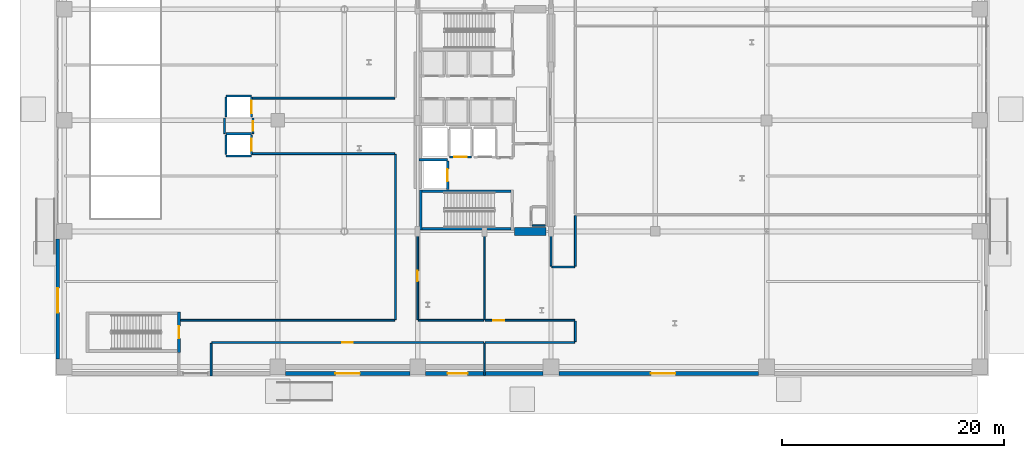
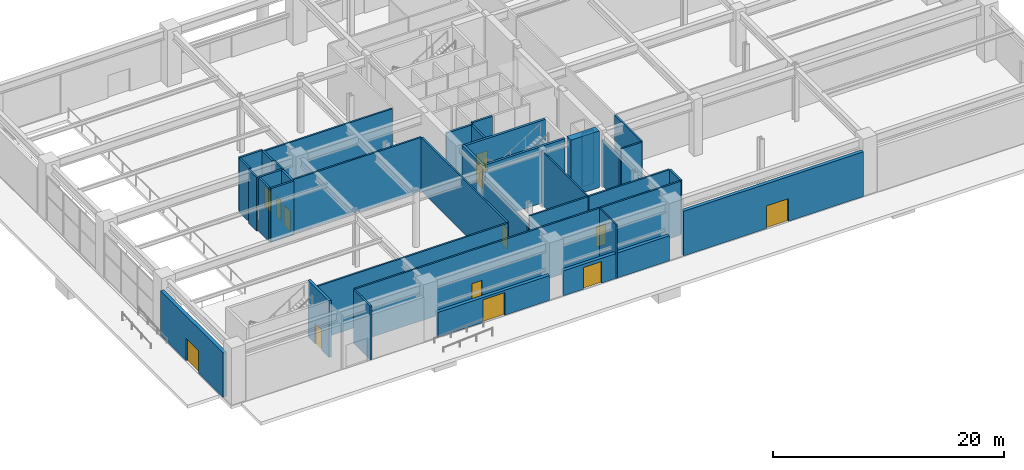
# One storey, part 20 of 31: 38 walls, 13 doors, 13 openings.
"""IFC4 building model written with IfcOpenShell, lengths in metres."""

from ifc_helpers import new_model, si_unit, direction, frame, frame_2d, origin, place, context, subcontext, project, spatial, rectangle, extrude, material, layer, layer_set, type_object, element, fill, save


model = new_model("IFC4")

# Units and contexts
model_context = context("Model", 3, precision=1e-05, world=origin(), true_north=direction((0.0, 1.0)))
body_context = subcontext(model_context, "Body", "Model", "MODEL_VIEW")
ifc_project = project(units=[si_unit("LENGTHUNIT", "METRE"), si_unit("AREAUNIT", "SQUARE_METRE"), si_unit("VOLUMEUNIT", "CUBIC_METRE"), si_unit("PLANEANGLEUNIT", "RADIAN"), si_unit("MASSUNIT", "GRAM", prefix="KILO")], contexts=[model_context])

# Site, building, storey
site_placement = place(None, origin())
site = spatial("IfcSite", under=ifc_project, at=site_placement, CompositionType="ELEMENT")
building_placement = place(site_placement, origin())
building = spatial("IfcBuilding", under=site, at=building_placement, Name="Soratama Intermodal Tower", CompositionType="ELEMENT")
storey_placement = place(building_placement, origin())
storey = spatial("IfcBuildingStorey", under=building, at=storey_placement, Name="L00", CompositionType="ELEMENT", Elevation=0.0)

# Wall, opening, door
ifc_material_1 = material(Name="Concrete f'c 42 MPa", Category="concrete")
ifc_layer_1 = layer(ifc_material_1, 0.340087890625)
ifc_layer_set_1 = layer_set([ifc_layer_1], Name="Concrete f'c 42 MPa")
wall_type_1 = type_object("IfcWallType", Name="EW-STONE-340", PredefinedType="SOLIDWALL", material=ifc_layer_set_1)
wall_1_placement = place(storey_placement, frame((31.89990234375, 2.199951171875, 0.0), z_axis=(0.0, 0.0, 1.0), x_axis=(-1.0, 0.0, 0.0)))
wall_1 = element("IfcWall", 1, at=wall_1_placement, inside=storey, type_object=wall_type_1, Name="L00 South Concourse Wall", PredefinedType="SOLIDWALL", context=body_context, shape_type="SweptSolid", body=[
    extrude(rectangle(XDim=11.199951171875, YDim=0.340087890625, at=frame_2d((5.60009765625, 0.0))), origin(), (0.0, 0.0, 1.0), 2.639892578125),
])
opening_1_placement = place(wall_1_placement, frame((4.5, 0.0, 0.0)))
opening_1 = element("IfcOpeningElement", 2, at=opening_1_placement, cuts=wall_1, Name="Opening ED-1", PredefinedType="OPENING", context=body_context, shape_type="SweptSolid", body=[
    extrude(rectangle(XDim=2.199951171875, YDim=2.39990234375, at=frame_2d((1.10009765625, 1.199951171875))), frame((0.0, 0.179931640625, 0.0), z_axis=(0.0, -1.0, 0.0), x_axis=(1.0, 0.0, 0.0)), (0.0, 0.0, 1.0), 0.360107421875),
])
ifc_material_2 = material(Name="Double-glazed aluminium door", Category="aluminium")
door_type_1 = type_object("IfcDoorType", Name="DR-EXIT-2200", OperationType="NOTDEFINED", PredefinedType="DOOR", material=ifc_material_2)
door_1_placement = place(opening_1_placement, origin())
door_1 = element("IfcDoor", 3, at=door_1_placement, inside=storey, type_object=door_type_1, Name="L00 South Concourse Exit Door", OperationType="SINGLE_SWING_LEFT", OverallHeight=2.39990234375, OverallWidth=2.199951171875, PredefinedType="DOOR", context=body_context, shape_type="SweptSolid", body=[
    extrude(rectangle(XDim=2.199951171875, YDim=2.39990234375, at=frame_2d((1.10009765625, 1.199951171875))), frame((0.0, 0.02490234375, 0.0), z_axis=(0.0, -1.0, 0.0), x_axis=(1.0, 0.0, 0.0)), (0.0, 0.0, 1.0), 0.050048828125),
])
fill(opening_1, door_1)

wall_2_placement = place(storey_placement, frame((43.89990234375, 2.199951171875, 0.0), z_axis=(0.0, 0.0, 1.0), x_axis=(-1.0, 0.0, 0.0)))
wall_2 = element("IfcWall", 4, at=wall_2_placement, inside=storey, type_object=wall_type_1, Name="L00 South Fire Command Wall", PredefinedType="SOLIDWALL", context=body_context, shape_type="SweptSolid", body=[
    extrude(rectangle(XDim=10.599853515625, YDim=0.340087890625, at=frame_2d((5.2998046875, 0.0))), origin(), (0.0, 0.0, 1.0), 2.639892578125),
])
opening_2_placement = place(wall_2_placement, frame((6.800048828125, 0.0, 0.0)))
opening_2 = element("IfcOpeningElement", 5, at=opening_2_placement, cuts=wall_2, Name="Opening ED-4", PredefinedType="OPENING", context=body_context, shape_type="SweptSolid", body=[
    extrude(rectangle(XDim=1.800048828125, YDim=2.300048828125, at=frame_2d((0.89990234375, 1.14990234375))), frame((0.0, 0.179931640625, 0.0), z_axis=(0.0, -1.0, 0.0), x_axis=(1.0, 0.0, 0.0)), (0.0, 0.0, 1.0), 0.360107421875),
])
ifc_material_3 = material(Name="Double-glazed aluminium door", Category="aluminium")
door_type_2 = type_object("IfcDoorType", Name="DR-EXIT-1800", OperationType="NOTDEFINED", PredefinedType="DOOR", material=ifc_material_3)
door_2_placement = place(opening_2_placement, origin())
door_2 = element("IfcDoor", 6, at=door_2_placement, inside=storey, type_object=door_type_2, Name="L00 Fire Command Exterior Access Door", OperationType="SINGLE_SWING_LEFT", OverallHeight=2.300048828125, OverallWidth=1.800048828125, PredefinedType="DOOR", context=body_context, shape_type="SweptSolid", body=[
    extrude(rectangle(XDim=1.800048828125, YDim=2.300048828125, at=frame_2d((0.89990234375, 1.14990234375))), frame((0.0, 0.02490234375, 0.0), z_axis=(0.0, -1.0, 0.0), x_axis=(1.0, 0.0, 0.0)), (0.0, 0.0, 1.0), 0.050048828125),
])
fill(opening_2, door_2)

wall_3_placement = place(storey_placement, frame((63.300048828125, 2.199951171875, 0.0), z_axis=(0.0, 0.0, 1.0), x_axis=(-1.0, 0.0, 0.0)))
wall_3 = element("IfcWall", 7, at=wall_3_placement, inside=storey, type_object=wall_type_1, Name="L00 South Market Wall", PredefinedType="SOLIDWALL", context=body_context, shape_type="SweptSolid", body=[
    extrude(rectangle(XDim=18.0, YDim=0.340087890625, at=frame_2d((9.0, 0.0))), origin(), (0.0, 0.0, 1.0), 4.736083984375),
])
opening_3_placement = place(wall_3_placement, frame((7.5, 0.0, 0.0)))
opening_3 = element("IfcOpeningElement", 8, at=opening_3_placement, cuts=wall_3, Name="Opening ED-1", PredefinedType="OPENING", context=body_context, shape_type="SweptSolid", body=[
    extrude(rectangle(XDim=2.199951171875, YDim=2.39990234375, at=frame_2d((1.10009765625, 1.199951171875))), frame((0.0, 0.179931640625, 0.0), z_axis=(0.0, -1.0, 0.0), x_axis=(1.0, 0.0, 0.0)), (0.0, 0.0, 1.0), 0.360107421875),
])
door_3_placement = place(opening_3_placement, origin())
door_3 = element("IfcDoor", 9, at=door_3_placement, inside=storey, type_object=door_type_1, Name="L00 South Market Entrance Door", OperationType="SINGLE_SWING_LEFT", OverallHeight=2.39990234375, OverallWidth=2.199951171875, PredefinedType="DOOR", context=body_context, shape_type="SweptSolid", body=[
    extrude(rectangle(XDim=2.199951171875, YDim=2.39990234375, at=frame_2d((1.10009765625, 1.199951171875))), frame((0.0, 0.02490234375, 0.0), z_axis=(0.0, -1.0, 0.0), x_axis=(1.0, 0.0, 0.0)), (0.0, 0.0, 1.0), 0.050048828125),
])
fill(opening_3, door_3)

wall_4_placement = place(storey_placement, frame((0.199951171875, 3.5, 0.0), z_axis=(0.0, 0.0, 1.0), x_axis=(0.0, 1.0, 0.0)))
wall_4 = element("IfcWall", 10, at=wall_4_placement, inside=storey, type_object=wall_type_1, Name="L00 West South Wall", PredefinedType="SOLIDWALL", context=body_context, shape_type="SweptSolid", body=[
    extrude(rectangle(XDim=10.800048828125, YDim=0.340087890625, at=frame_2d((5.39990234375, 0.0))), origin(), (0.0, 0.0, 1.0), 4.736083984375),
])
opening_4_placement = place(wall_4_placement, frame((4.199951171875, 0.0, 0.0)))
opening_4 = element("IfcOpeningElement", 11, at=opening_4_placement, cuts=wall_4, Name="Opening ED-1", PredefinedType="OPENING", context=body_context, shape_type="SweptSolid", body=[
    extrude(rectangle(XDim=2.199951171875, YDim=2.39990234375, at=frame_2d((1.10009765625, 1.199951171875))), frame((0.0, 0.179931640625, 0.0), z_axis=(0.0, -1.0, 0.0), x_axis=(1.0, 0.0, 0.0)), (0.0, 0.0, 1.0), 0.360107421875),
])
door_4_placement = place(opening_4_placement, origin())
door_4 = element("IfcDoor", 12, at=door_4_placement, inside=storey, type_object=door_type_1, Name="L00 West Loading Entrance Door", OperationType="SINGLE_SWING_LEFT", OverallHeight=2.39990234375, OverallWidth=2.199951171875, PredefinedType="DOOR", context=body_context, shape_type="SweptSolid", body=[
    extrude(rectangle(XDim=2.199951171875, YDim=2.39990234375, at=frame_2d((1.10009765625, 1.199951171875))), frame((0.0, 0.02490234375, 0.0), z_axis=(0.0, -1.0, 0.0), x_axis=(1.0, 0.0, 0.0)), (0.0, 0.0, 1.0), 0.050048828125),
])
fill(opening_4, door_4)

# Wall
ifc_material_4 = material(Name="Fire-rated gypsum stud partition", Category="concrete")
ifc_layer_2 = layer(ifc_material_4, 0.14990234375)
ifc_layer_set_2 = layer_set([ifc_layer_2], Name="Fire-rated gypsum stud partition")
wall_type_2 = type_object("IfcWallType", Name="IW-PART-R150", PredefinedType="PARTITIONING", material=ifc_layer_set_2)
wall_5_placement = place(storey_placement, frame((42.89990234375, 15.52001953125, 0.0), z_axis=(0.0, 0.0, 1.0), x_axis=(1.0, 0.0, 0.0)))
element("IfcWall", 13, at=wall_5_placement, inside=storey, type_object=wall_type_2, Name="L00 Riser Wall S", PredefinedType="PARTITIONING", context=body_context, shape_type="SweptSolid", body=[
    extrude(rectangle(XDim=1.2001953125, YDim=0.14990234375, at=frame_2d((0.60009765625, 0.0))), origin(), (0.0, 0.0, 1.0), 5.679931640625),
])

# Wall, opening, door
ifc_material_5 = material(Name="Fire-rated gypsum stud partition", Category="concrete")
ifc_layer_3 = layer(ifc_material_5, 0.169921875)
ifc_layer_set_3 = layer_set([ifc_layer_3], Name="Fire-rated gypsum stud partition")
wall_type_3 = type_object("IfcWallType", Name="IW-PART-R170", PredefinedType="PARTITIONING", material=ifc_layer_set_3)
wall_6_placement = place(storey_placement, frame((38.530029296875, 5.0, 0.0), z_axis=(0.0, 0.0, 1.0), x_axis=(-1.0, 0.0, 0.0)))
wall_6 = element("IfcWall", 14, at=wall_6_placement, inside=storey, type_object=wall_type_3, Name="L00 Partition W-L00-TP005", PredefinedType="PARTITIONING", context=body_context, shape_type="SweptSolid", body=[
    extrude(rectangle(XDim=24.4599609375, YDim=0.169921875, at=frame_2d((12.22998046875, 0.0))), origin(), (0.0, 0.0, 1.0), 5.679931640625),
])
opening_5_placement = place(wall_6_placement, frame((11.7548828125, 0.0, 0.0)))
opening_5 = element("IfcOpeningElement", 15, at=opening_5_placement, cuts=wall_6, Name="Opening ID-5", PredefinedType="OPENING", context=body_context, shape_type="SweptSolid", body=[
    extrude(rectangle(XDim=0.97998046875, YDim=2.14990234375, at=frame_2d((0.489990234375, 1.074951171875))), frame((0.0, 0.094970703125, 0.0), z_axis=(0.0, -1.0, 0.0), x_axis=(1.0, 0.0, 0.0)), (0.0, 0.0, 1.0), 0.18994140625),
])
ifc_material_6 = material(Name="Solid hardwood acoustic door", Category="wood")
door_type_3 = type_object("IfcDoorType", Name="DR-OFF-980", OperationType="NOTDEFINED", PredefinedType="DOOR", material=ifc_material_6)
door_5_placement = place(opening_5_placement, origin())
door_5 = element("IfcDoor", 16, at=door_5_placement, inside=storey, type_object=door_type_3, Name="L00 Door D-L00-TP003", OperationType="SINGLE_SWING_RIGHT", OverallHeight=2.14990234375, OverallWidth=0.97998046875, PredefinedType="DOOR", context=body_context, shape_type="SweptSolid", body=[
    extrude(rectangle(XDim=0.97998046875, YDim=2.14990234375, at=frame_2d((0.489990234375, 1.074951171875))), frame((0.0, 0.02490234375, 0.0), z_axis=(0.0, -1.0, 0.0), x_axis=(1.0, 0.0, 0.0)), (0.0, 0.0, 1.0), 0.050048828125),
])
fill(opening_5, door_5)

# Walls
wall_7_placement = place(storey_placement, frame((11.1201171875, 7.0, 0.0), z_axis=(0.0, 0.0, 1.0), x_axis=(1.0, 0.0, 0.0)))
element("IfcWall", 17, at=wall_7_placement, inside=storey, type_object=wall_type_3, Name="L00 Partition W-L00-TP006", PredefinedType="PARTITIONING", context=body_context, shape_type="SweptSolid", body=[
    extrude(rectangle(XDim=19.409912109375, YDim=0.169921875, at=frame_2d((9.705078125, 0.0))), origin(), (0.0, 0.0, 1.0), 5.679931640625),
])
wall_8_placement = place(storey_placement, frame((30.60009765625, 7.070068359375, 0.0), z_axis=(0.0, 0.0, 1.0), x_axis=(0.0, 1.0, 0.0)))
element("IfcWall", 18, at=wall_8_placement, inside=storey, type_object=wall_type_3, Name="L00 Partition W-L00-TP008", PredefinedType="PARTITIONING", context=body_context, shape_type="SweptSolid", body=[
    extrude(rectangle(XDim=14.85986328125, YDim=0.169921875, at=frame_2d((7.429931640625, 0.0))), origin(), (0.0, 0.0, 1.0), 5.679931640625),
])
for number, where, z_axis, x_axis, name in (
    (19, (30.530029296875, 22.0, 0.0), (0.0, 0.0, 1.0), (-1.0, 0.0, 0.0), "L00 Partition W-L00-TP009"),
    (20, (17.64990234375, 27.0, 0.0), (0.0, 0.0, 1.0), (1.0, 0.0, 0.0), "L00 Partition W-L00-TP010"),
):
    element("IfcWall", number, at=place(storey_placement, frame(where, z_axis=z_axis, x_axis=x_axis)), inside=storey, type_object=wall_type_3, Name=name, PredefinedType="PARTITIONING", context=body_context, shape_type="SweptSolid", body=[
        extrude(rectangle(XDim=12.880126953125, YDim=0.169921875, at=frame_2d((6.43994140625, 0.0))), origin(), (0.0, 0.0, 1.0), 5.679931640625),
    ])

# Wall, opening, door
wall_9_placement = place(storey_placement, frame((38.669921875, 7.0, 0.0), z_axis=(0.0, 0.0, 1.0), x_axis=(1.0, 0.0, 0.0)))
wall_9 = element("IfcWall", 21, at=wall_9_placement, inside=storey, type_object=wall_type_3, Name="L00 Partition W-L00-TP013", PredefinedType="PARTITIONING", context=body_context, shape_type="SweptSolid", body=[
    extrude(rectangle(XDim=8.06005859375, YDim=0.169921875, at=frame_2d((4.030029296875, 0.0))), origin(), (0.0, 0.0, 1.0), 5.679931640625),
])
opening_6_placement = place(wall_9_placement, frame((0.73388671875, 0.0, 0.0)))
opening_6 = element("IfcOpeningElement", 22, at=opening_6_placement, cuts=wall_9, Name="Opening ID-5", PredefinedType="OPENING", context=body_context, shape_type="SweptSolid", body=[
    extrude(rectangle(XDim=0.97998046875, YDim=2.14990234375, at=frame_2d((0.489990234375, 1.074951171875))), frame((0.0, 0.094970703125, 0.0), z_axis=(0.0, -1.0, 0.0), x_axis=(1.0, 0.0, 0.0)), (0.0, 0.0, 1.0), 0.18994140625),
])
door_6_placement = place(opening_6_placement, origin())
door_6 = element("IfcDoor", 23, at=door_6_placement, inside=storey, type_object=door_type_3, Name="L00 Door D-L00-TP005", OperationType="SINGLE_SWING_RIGHT", OverallHeight=2.14990234375, OverallWidth=0.97998046875, PredefinedType="DOOR", context=body_context, shape_type="SweptSolid", body=[
    extrude(rectangle(XDim=0.97998046875, YDim=2.14990234375, at=frame_2d((0.489990234375, 1.074951171875))), frame((0.0, 0.02490234375, 0.0), z_axis=(0.0, -1.0, 0.0), x_axis=(1.0, 0.0, 0.0)), (0.0, 0.0, 1.0), 0.050048828125),
])
fill(opening_6, door_6)

# Wall
wall_10_placement = place(storey_placement, frame((46.72998046875, 5.0, 0.0), z_axis=(0.0, 0.0, 1.0), x_axis=(-1.0, 0.0, 0.0)))
element("IfcWall", 24, at=wall_10_placement, inside=storey, type_object=wall_type_3, Name="L00 Partition W-L00-TP014", PredefinedType="PARTITIONING", context=body_context, shape_type="SweptSolid", body=[
    extrude(rectangle(XDim=8.06005859375, YDim=0.169921875, at=frame_2d((4.030029296875, 0.0))), origin(), (0.0, 0.0, 1.0), 5.679931640625),
])

# Wall, opening, door
wall_11_placement = place(storey_placement, frame((32.60009765625, 14.929931640625, 0.0), z_axis=(0.0, 0.0, 1.0), x_axis=(0.0, -1.0, 0.0)))
wall_11 = element("IfcWall", 25, at=wall_11_placement, inside=storey, type_object=wall_type_3, Name="L00 Partition W-L00-TP015", PredefinedType="PARTITIONING", context=body_context, shape_type="SweptSolid", body=[
    extrude(rectangle(XDim=7.85986328125, YDim=0.169921875, at=frame_2d((3.929931640625, 0.0))), origin(), (0.0, 0.0, 1.0), 4.802001953125),
])
opening_7_placement = place(wall_11_placement, frame((3.455078125, 0.0, 0.0)))
opening_7 = element("IfcOpeningElement", 26, at=opening_7_placement, cuts=wall_11, Name="Opening ID-5", PredefinedType="OPENING", context=body_context, shape_type="SweptSolid", body=[
    extrude(rectangle(XDim=0.97998046875, YDim=2.14990234375, at=frame_2d((0.489990234375, 1.074951171875))), frame((0.0, 0.094970703125, 0.0), z_axis=(0.0, -1.0, 0.0), x_axis=(1.0, 0.0, 0.0)), (0.0, 0.0, 1.0), 0.18994140625),
])
door_7_placement = place(opening_7_placement, origin())
door_7 = element("IfcDoor", 27, at=door_7_placement, inside=storey, type_object=door_type_3, Name="L00 Door D-L00-TP006", OperationType="SINGLE_SWING_LEFT", OverallHeight=2.14990234375, OverallWidth=0.97998046875, PredefinedType="DOOR", context=body_context, shape_type="SweptSolid", body=[
    extrude(rectangle(XDim=0.97998046875, YDim=2.14990234375, at=frame_2d((0.489990234375, 1.074951171875))), frame((0.0, 0.02490234375, 0.0), z_axis=(0.0, -1.0, 0.0), x_axis=(1.0, 0.0, 0.0)), (0.0, 0.0, 1.0), 0.050048828125),
])
fill(opening_7, door_7)

# Walls
wall_12_placement = place(storey_placement, frame((32.669921875, 7.0, 0.0), z_axis=(0.0, 0.0, 1.0), x_axis=(1.0, 0.0, 0.0)))
element("IfcWall", 28, at=wall_12_placement, inside=storey, type_object=wall_type_3, Name="L00 Partition W-L00-TP021", PredefinedType="PARTITIONING", context=body_context, shape_type="SweptSolid", body=[
    extrude(rectangle(XDim=5.860107421875, YDim=0.169921875, at=frame_2d((2.93017578125, 0.0))), origin(), (0.0, 0.0, 1.0), 5.679931640625),
])
wall_13_placement = place(storey_placement, frame((46.800048828125, 16.429931640625, 0.0), z_axis=(0.0, 0.0, 1.0), x_axis=(0.0, -1.0, 0.0)))
element("IfcWall", 29, at=wall_13_placement, inside=storey, type_object=wall_type_3, Name="L00 Partition W-L00-TP024", PredefinedType="PARTITIONING", context=body_context, shape_type="SweptSolid", body=[
    extrude(rectangle(XDim=4.559814453125, YDim=0.169921875, at=frame_2d((2.27978515625, 0.0))), origin(), (0.0, 0.0, 1.0), 5.679931640625),
])
wall_14_placement = place(storey_placement, frame((44.60009765625, 11.8701171875, 0.0), z_axis=(0.0, 0.0, 1.0), x_axis=(0.0, 1.0, 0.0)))
element("IfcWall", 30, at=wall_14_placement, inside=storey, type_object=wall_type_3, Name="L00 Partition W-L00-TP029", PredefinedType="PARTITIONING", context=body_context, shape_type="SweptSolid", body=[
    extrude(rectangle(XDim=3.059814453125, YDim=0.169921875, at=frame_2d((1.52978515625, 0.0))), origin(), (0.0, 0.0, 1.0), 4.802001953125),
])
wall_15_placement = place(storey_placement, frame((14.0, 4.929931640625, 0.0), z_axis=(0.0, 0.0, 1.0), x_axis=(0.0, -1.0, 0.0)))
element("IfcWall", 31, at=wall_15_placement, inside=storey, type_object=wall_type_3, Name="L00 Partition W-L00-TP030", PredefinedType="PARTITIONING", context=body_context, shape_type="SweptSolid", body=[
    extrude(rectangle(XDim=2.929931640625, YDim=0.169921875, at=frame_2d((1.46484375, 0.0))), origin(), (0.0, 0.0, 1.0), 5.679931640625),
])
wall_16_placement = place(storey_placement, frame((46.72998046875, 11.800048828125, 0.0), z_axis=(0.0, 0.0, 1.0), x_axis=(-1.0, 0.0, 0.0)))
element("IfcWall", 32, at=wall_16_placement, inside=storey, type_object=wall_type_3, Name="L00 Partition W-L00-TP034", PredefinedType="PARTITIONING", context=body_context, shape_type="SweptSolid", body=[
    extrude(rectangle(XDim=2.06005859375, YDim=0.169921875, at=frame_2d((1.030029296875, 0.0))), origin(), (0.0, 0.0, 1.0), 5.679931640625),
])
wall_17_placement = place(storey_placement, frame((46.800048828125, 6.929931640625, 0.0), z_axis=(0.0, 0.0, 1.0), x_axis=(0.0, -1.0, 0.0)))
element("IfcWall", 33, at=wall_17_placement, inside=storey, type_object=wall_type_3, Name="L00 Partition W-L00-TP037", PredefinedType="PARTITIONING", context=body_context, shape_type="SweptSolid", body=[
    extrude(rectangle(XDim=1.85986328125, YDim=0.169921875, at=frame_2d((0.929931640625, 0.0))), origin(), (0.0, 0.0, 1.0), 5.679931640625),
])

# Wall, opening, door
wall_18_placement = place(storey_placement, frame((17.77001953125, 23.800048828125, 0.0), z_axis=(0.0, 0.0, 1.0), x_axis=(0.0, 1.0, 0.0)))
wall_18 = element("IfcWall", 34, at=wall_18_placement, inside=storey, type_object=wall_type_3, Name="L00 Partition W-L00-TP041", PredefinedType="PARTITIONING", context=body_context, shape_type="SweptSolid", body=[
    extrude(rectangle(XDim=1.39990234375, YDim=0.169921875, at=frame_2d((0.699951171875, 0.0))), origin(), (0.0, 0.0, 1.0), 5.679931640625),
])
opening_8_placement = place(wall_18_placement, frame((0.27490234375, 0.0, 0.0)))
opening_8 = element("IfcOpeningElement", 35, at=opening_8_placement, cuts=wall_18, Name="Opening ID-4", PredefinedType="OPENING", context=body_context, shape_type="SweptSolid", body=[
    extrude(rectangle(XDim=0.85009765625, YDim=2.10009765625, at=frame_2d((0.425048828125, 1.050048828125))), frame((0.0, 0.094970703125, 0.0), z_axis=(0.0, -1.0, 0.0), x_axis=(1.0, 0.0, 0.0)), (0.0, 0.0, 1.0), 0.18994140625),
])
ifc_material_7 = material(Name="Solid hardwood acoustic door", Category="wood")
door_type_4 = type_object("IfcDoorType", Name="DR-BATH-850", OperationType="NOTDEFINED", PredefinedType="DOOR", material=ifc_material_7)
door_8_placement = place(opening_8_placement, origin())
door_8 = element("IfcDoor", 36, at=door_8_placement, inside=storey, type_object=door_type_4, Name="L00 Door D-L00-TP014", OperationType="SINGLE_SWING_LEFT", OverallHeight=2.10009765625, OverallWidth=0.85009765625, PredefinedType="DOOR", context=body_context, shape_type="SweptSolid", body=[
    extrude(rectangle(XDim=0.85009765625, YDim=2.10009765625, at=frame_2d((0.425048828125, 1.050048828125))), frame((0.0, 0.02490234375, 0.0), z_axis=(0.0, -1.0, 0.0), x_axis=(1.0, 0.0, 0.0)), (0.0, 0.0, 1.0), 0.050048828125),
])
fill(opening_8, door_8)

# Walls
wall_19_placement = place(storey_placement, frame((15.205078125, 23.800048828125, 0.0), z_axis=(0.0, 0.0, 1.0), x_axis=(0.0, 1.0, 0.0)))
element("IfcWall", 37, at=wall_19_placement, inside=storey, type_object=wall_type_3, Name="L00 Partition W-L00-TP042", PredefinedType="PARTITIONING", context=body_context, shape_type="SweptSolid", body=[
    extrude(rectangle(XDim=1.39990234375, YDim=0.169921875, at=frame_2d((0.699951171875, 0.0))), origin(), (0.0, 0.0, 1.0), 5.679931640625),
])
ifc_material_8 = material(Name="Fire-rated gypsum stud partition", Category="concrete")
ifc_layer_4 = layer(ifc_material_8, 0.1298828125)
ifc_layer_set_4 = layer_set([ifc_layer_4], Name="Fire-rated gypsum stud partition")
wall_type_4 = type_object("IfcWallType", Name="IW-PART-S130", PredefinedType="PARTITIONING", material=ifc_layer_set_4)
wall_20_placement = place(storey_placement, frame((38.60009765625, 7.070068359375, 0.0), z_axis=(0.0, 0.0, 1.0), x_axis=(0.0, 1.0, 0.0)))
element("IfcWall", 38, at=wall_20_placement, inside=storey, type_object=wall_type_4, Name="L00 Partition W-L00-TP017", PredefinedType="PARTITIONING", context=body_context, shape_type="SweptSolid", body=[
    extrude(rectangle(XDim=7.85986328125, YDim=0.1298828125, at=frame_2d((3.929931640625, 0.0))), origin(), (0.0, 0.0, 1.0), 5.679931640625),
])
wall_21_placement = place(storey_placement, frame((38.60009765625, 4.929931640625, 0.0), z_axis=(0.0, 0.0, 1.0), x_axis=(0.0, -1.0, 0.0)))
element("IfcWall", 39, at=wall_21_placement, inside=storey, type_object=wall_type_4, Name="L00 Partition W-L00-TP032", PredefinedType="PARTITIONING", context=body_context, shape_type="SweptSolid", body=[
    extrude(rectangle(XDim=2.929931640625, YDim=0.1298828125, at=frame_2d((1.46484375, 0.0))), origin(), (0.0, 0.0, 1.0), 5.679931640625),
])

# Wall, opening, door
ifc_material_9 = material(Name="Concrete f'c 42 MPa", Category="concrete")
ifc_layer_5 = layer(ifc_material_9, 0.199951171875)
ifc_layer_set_5 = layer_set([ifc_layer_5], Name="Concrete f'c 42 MPa")
wall_type_5 = type_object("IfcWallType", Name="IW-SHAFT-200", PredefinedType="SOLIDWALL", material=ifc_layer_set_5)
wall_22_placement = place(storey_placement, frame((35.449951171875, 21.699951171875, 0.0), z_axis=(0.0, 0.0, 1.0), x_axis=(1.0, 0.0, 0.0)))
wall_22 = element("IfcWall", 40, at=wall_22_placement, inside=storey, type_object=wall_type_5, Name="L00 FFL-1 Hoistway Wall S", PredefinedType="SOLIDWALL", context=body_context, shape_type="SweptSolid", body=[
    extrude(rectangle(XDim=2.0, YDim=0.199951171875, at=frame_2d((1.0, 0.0))), origin(), (0.0, 0.0, 1.0), 5.679931640625),
])
opening_9_placement = place(wall_22_placement, frame((0.449951171875, 0.0, 0.0)))
opening_9 = element("IfcOpeningElement", 41, at=opening_9_placement, cuts=wall_22, Name="Opening LD-1", PredefinedType="OPENING", context=body_context, shape_type="SweptSolid", body=[
    extrude(rectangle(XDim=1.10009765625, YDim=2.14990234375, at=frame_2d((0.550048828125, 1.074951171875))), frame((0.0, 0.10986328125, 0.0), z_axis=(0.0, -1.0, 0.0), x_axis=(1.0, 0.0, 0.0)), (0.0, 0.0, 1.0), 0.219970703125),
])
ifc_material_10 = material(Name="Steel fire door", Category="steel")
door_type_5 = type_object("IfcDoorType", Name="DR-LIFT-SLIDE", OperationType="NOTDEFINED", PredefinedType="DOOR", material=ifc_material_10)
door_9_placement = place(opening_9_placement, origin())
door_9 = element("IfcDoor", 42, at=door_9_placement, inside=storey, type_object=door_type_5, Name="L00 FFL-1 Sliding Landing Door", OperationType="SLIDING_TO_LEFT", OverallHeight=2.14990234375, OverallWidth=1.10009765625, PredefinedType="DOOR", context=body_context, shape_type="SweptSolid", body=[
    extrude(rectangle(XDim=1.10009765625, YDim=2.14990234375, at=frame_2d((0.550048828125, 1.074951171875))), frame((0.0, 0.02490234375, 0.0), z_axis=(0.0, -1.0, 0.0), x_axis=(1.0, 0.0, 0.0)), (0.0, 0.0, 1.0), 0.050048828125),
])
fill(opening_9, door_9)

# Wall
wall_23_placement = place(storey_placement, frame((32.719970703125, 21.449951171875, 0.0), z_axis=(0.0, 0.0, 1.0), x_axis=(1.0, 0.0, 0.0)))
element("IfcWall", 43, at=wall_23_placement, inside=storey, type_object=wall_type_5, Name="L00 SVL-1 Hoistway Wall N", PredefinedType="SOLIDWALL", context=body_context, shape_type="SweptSolid", body=[
    extrude(rectangle(XDim=2.580078125, YDim=0.199951171875, at=frame_2d((1.2900390625, 0.0))), origin(), (0.0, 0.0, 1.0), 5.679931640625),
])

# Wall, opening, door
wall_24_placement = place(storey_placement, frame((35.300048828125, 18.7900390625, 0.0), z_axis=(0.0, 0.0, 1.0), x_axis=(0.0, 1.0, 0.0)))
wall_24 = element("IfcWall", 44, at=wall_24_placement, inside=storey, type_object=wall_type_5, Name="L00 SVL-1 Hoistway Wall E", PredefinedType="SOLIDWALL", context=body_context, shape_type="SweptSolid", body=[
    extrude(rectangle(XDim=2.550048828125, YDim=0.199951171875, at=frame_2d((1.27490234375, 0.0))), origin(), (0.0, 0.0, 1.0), 5.679931640625),
])
opening_10_placement = place(wall_24_placement, frame((0.72509765625, 0.0, 0.0)))
opening_10 = element("IfcOpeningElement", 45, at=opening_10_placement, cuts=wall_24, Name="Opening LD-1", PredefinedType="OPENING", context=body_context, shape_type="SweptSolid", body=[
    extrude(rectangle(XDim=1.10009765625, YDim=2.14990234375, at=frame_2d((0.550048828125, 1.074951171875))), frame((0.0, 0.10986328125, 0.0), z_axis=(0.0, -1.0, 0.0), x_axis=(1.0, 0.0, 0.0)), (0.0, 0.0, 1.0), 0.219970703125),
])
door_10_placement = place(opening_10_placement, origin())
door_10 = element("IfcDoor", 46, at=door_10_placement, inside=storey, type_object=door_type_5, Name="L00 SVL-1 Sliding Landing Door", OperationType="SLIDING_TO_LEFT", OverallHeight=2.14990234375, OverallWidth=1.10009765625, PredefinedType="DOOR", context=body_context, shape_type="SweptSolid", body=[
    extrude(rectangle(XDim=1.10009765625, YDim=2.14990234375, at=frame_2d((0.550048828125, 1.074951171875))), frame((0.0, 0.02490234375, 0.0), z_axis=(0.0, -1.0, 0.0), x_axis=(1.0, 0.0, 0.0)), (0.0, 0.0, 1.0), 0.050048828125),
])
fill(opening_10, door_10)

# Walls
for number, where, z_axis, x_axis, name in (
    (47, (15.35009765625, 21.800048828125, 0.0), (0.0, 0.0, 1.0), (1.0, 0.0, 0.0), "L00 PL-P1 Hoistway Wall S"),
    (48, (15.35009765625, 23.800048828125, 0.0), (0.0, 0.0, 1.0), (1.0, 0.0, 0.0), "L00 PL-P1 Hoistway Wall N"),
):
    element("IfcWall", number, at=place(storey_placement, frame(where, z_axis=z_axis, x_axis=x_axis)), inside=storey, type_object=wall_type_5, Name=name, PredefinedType="SOLIDWALL", context=body_context, shape_type="SweptSolid", body=[
        extrude(rectangle(XDim=2.2998046875, YDim=0.199951171875, at=frame_2d((1.14990234375, 0.0))), origin(), (0.0, 0.0, 1.0), 5.679931640625),
    ])
wall_25_placement = place(storey_placement, frame((15.35009765625, 21.909912109375, 0.0), z_axis=(0.0, 0.0, 1.0), x_axis=(0.0, 1.0, 0.0)))
element("IfcWall", 49, at=wall_25_placement, inside=storey, type_object=wall_type_5, Name="L00 PL-P1 Hoistway Wall W", PredefinedType="SOLIDWALL", context=body_context, shape_type="SweptSolid", body=[
    extrude(rectangle(XDim=1.780029296875, YDim=0.199951171875, at=frame_2d((0.89013671875, 0.0))), origin(), (0.0, 0.0, 1.0), 5.679931640625),
])

# Wall, opening, door
wall_26_placement = place(storey_placement, frame((17.64990234375, 21.909912109375, 0.0), z_axis=(0.0, 0.0, 1.0), x_axis=(0.0, 1.0, 0.0)))
wall_26 = element("IfcWall", 50, at=wall_26_placement, inside=storey, type_object=wall_type_5, Name="L00 PL-P1 Hoistway Wall E", PredefinedType="SOLIDWALL", context=body_context, shape_type="SweptSolid", body=[
    extrude(rectangle(XDim=1.780029296875, YDim=0.199951171875, at=frame_2d((0.89013671875, 0.0))), origin(), (0.0, 0.0, 1.0), 5.679931640625),
])
opening_11_placement = place(wall_26_placement, frame((0.340087890625, 0.0, 0.0)))
opening_11 = element("IfcOpeningElement", 51, at=opening_11_placement, cuts=wall_26, Name="Opening LD-1", PredefinedType="OPENING", context=body_context, shape_type="SweptSolid", body=[
    extrude(rectangle(XDim=1.10009765625, YDim=2.14990234375, at=frame_2d((0.550048828125, 1.074951171875))), frame((0.0, 0.10986328125, 0.0), z_axis=(0.0, -1.0, 0.0), x_axis=(1.0, 0.0, 0.0)), (0.0, 0.0, 1.0), 0.219970703125),
])
door_11_placement = place(opening_11_placement, origin())
door_11 = element("IfcDoor", 52, at=door_11_placement, inside=storey, type_object=door_type_5, Name="L00 PL-P1 Sliding Landing Door", OperationType="SLIDING_TO_LEFT", OverallHeight=2.14990234375, OverallWidth=1.10009765625, PredefinedType="DOOR", context=body_context, shape_type="SweptSolid", body=[
    extrude(rectangle(XDim=1.10009765625, YDim=2.14990234375, at=frame_2d((0.550048828125, 1.074951171875))), frame((0.0, 0.02490234375, 0.0), z_axis=(0.0, -1.0, 0.0), x_axis=(1.0, 0.0, 0.0)), (0.0, 0.0, 1.0), 0.050048828125),
])
fill(opening_11, door_11)

# Walls
wall_27_placement = place(storey_placement, frame((15.35009765625, 27.199951171875, 0.0), z_axis=(0.0, 0.0, 1.0), x_axis=(1.0, 0.0, 0.0)))
element("IfcWall", 53, at=wall_27_placement, inside=storey, type_object=wall_type_5, Name="L00 PL-P2 Hoistway Wall N", PredefinedType="SOLIDWALL", context=body_context, shape_type="SweptSolid", body=[
    extrude(rectangle(XDim=2.2998046875, YDim=0.199951171875, at=frame_2d((1.14990234375, 0.0))), origin(), (0.0, 0.0, 1.0), 5.679931640625),
])
wall_28_placement = place(storey_placement, frame((15.35009765625, 25.31005859375, 0.0), z_axis=(0.0, 0.0, 1.0), x_axis=(0.0, 1.0, 0.0)))
element("IfcWall", 54, at=wall_28_placement, inside=storey, type_object=wall_type_5, Name="L00 PL-P2 Hoistway Wall W", PredefinedType="SOLIDWALL", context=body_context, shape_type="SweptSolid", body=[
    extrude(rectangle(XDim=1.780029296875, YDim=0.199951171875, at=frame_2d((0.89013671875, 0.0))), origin(), (0.0, 0.0, 1.0), 5.679931640625),
])

# Wall, opening, door
wall_29_placement = place(storey_placement, frame((17.64990234375, 25.31005859375, 0.0), z_axis=(0.0, 0.0, 1.0), x_axis=(0.0, 1.0, 0.0)))
wall_29 = element("IfcWall", 55, at=wall_29_placement, inside=storey, type_object=wall_type_5, Name="L00 PL-P2 Hoistway Wall E", PredefinedType="SOLIDWALL", context=body_context, shape_type="SweptSolid", body=[
    extrude(rectangle(XDim=1.780029296875, YDim=0.199951171875, at=frame_2d((0.89013671875, 0.0))), origin(), (0.0, 0.0, 1.0), 5.679931640625),
])
opening_12_placement = place(wall_29_placement, frame((0.340087890625, 0.0, 0.0)))
opening_12 = element("IfcOpeningElement", 56, at=opening_12_placement, cuts=wall_29, Name="Opening LD-1", PredefinedType="OPENING", context=body_context, shape_type="SweptSolid", body=[
    extrude(rectangle(XDim=1.10009765625, YDim=2.14990234375, at=frame_2d((0.550048828125, 1.074951171875))), frame((0.0, 0.10986328125, 0.0), z_axis=(0.0, -1.0, 0.0), x_axis=(1.0, 0.0, 0.0)), (0.0, 0.0, 1.0), 0.219970703125),
])
door_12_placement = place(opening_12_placement, origin())
door_12 = element("IfcDoor", 57, at=door_12_placement, inside=storey, type_object=door_type_5, Name="L00 PL-P2 Sliding Landing Door", OperationType="SLIDING_TO_LEFT", OverallHeight=2.14990234375, OverallWidth=1.10009765625, PredefinedType="DOOR", context=body_context, shape_type="SweptSolid", body=[
    extrude(rectangle(XDim=1.10009765625, YDim=2.14990234375, at=frame_2d((0.550048828125, 1.074951171875))), frame((0.0, 0.02490234375, 0.0), z_axis=(0.0, -1.0, 0.0), x_axis=(1.0, 0.0, 0.0)), (0.0, 0.0, 1.0), 0.050048828125),
])
fill(opening_12, door_12)

# Walls
ifc_material_11 = material(Name="Concrete f'c 56 MPa", Category="concrete")
ifc_layer_6 = layer(ifc_material_11, 0.699951171875)
ifc_layer_set_6 = layer_set([ifc_layer_6], Name="Concrete f'c 56 MPa")
wall_type_6 = type_object("IfcWallType", Name="SW-CORE-700", PredefinedType="SHEAR", material=ifc_layer_set_6)
wall_30_placement = place(storey_placement, frame((41.300048828125, 15.0, 0.0), z_axis=(0.0, 0.0, 1.0), x_axis=(1.0, 0.0, 0.0)))
element("IfcWall", 58, at=wall_30_placement, inside=storey, type_object=wall_type_6, Name="L00 Core Shear Wall CW-SE", PredefinedType="SHEAR", context=body_context, shape_type="SweptSolid", body=[
    extrude(rectangle(XDim=2.849853515625, YDim=0.699951171875, at=frame_2d((1.4248046875, 0.0))), origin(), (0.0, 0.0, 1.0), 6.0),
])
ifc_material_12 = material(Name="Concrete f'c 56 MPa", Category="concrete")
ifc_layer_7 = layer(ifc_material_12, 0.239990234375)
ifc_layer_set_7 = layer_set([ifc_layer_7], Name="Concrete f'c 56 MPa")
wall_type_7 = type_object("IfcWallType", Name="SW-STAIR-240", PredefinedType="SHEAR", material=ifc_layer_set_7)
wall_31_placement = place(storey_placement, frame((32.8798828125, 15.110107421875, 0.0), z_axis=(0.0, 0.0, 1.0), x_axis=(0.0, 1.0, 0.0)))
element("IfcWall", 59, at=wall_31_placement, inside=storey, type_object=wall_type_7, Name="L00 ST-1 Shaft Shear Wall W", PredefinedType="SHEAR", context=body_context, shape_type="SweptSolid", body=[
    extrude(rectangle(XDim=3.6298828125, YDim=0.239990234375, at=frame_2d((1.81494140625, 0.0))), origin(), (0.0, 0.0, 1.0), 6.0),
])
for number, where, z_axis, x_axis, name in (
    (60, (33.0, 15.22998046875, 0.0), (0.0, 0.0, 1.0), (1.0, 0.0, 0.0), "L00 ST-1 Shaft Shear Wall S"),
    (61, (33.0, 18.6201171875, 0.0), (0.0, 0.0, 1.0), (1.0, 0.0, 0.0), "L00 ST-1 Shaft Shear Wall N"),
):
    element("IfcWall", number, at=place(storey_placement, frame(where, z_axis=z_axis, x_axis=x_axis)), inside=storey, type_object=wall_type_7, Name=name, PredefinedType="SHEAR", context=body_context, shape_type="SweptSolid", body=[
        extrude(rectangle(XDim=8.0, YDim=0.239990234375, at=frame_2d((4.0, 0.0))), origin(), (0.0, 0.0, 1.0), 6.0),
    ])

# Wall, opening, door
wall_32_placement = place(storey_placement, frame((11.1201171875, 4.110107421875, 0.0), z_axis=(0.0, 0.0, 1.0), x_axis=(0.0, 1.0, 0.0)))
wall_32 = element("IfcWall", 62, at=wall_32_placement, inside=storey, type_object=wall_type_7, Name="L00 ST-3 Shaft Shear Wall E", PredefinedType="SHEAR", context=body_context, shape_type="SweptSolid", body=[
    extrude(rectangle(XDim=3.6298828125, YDim=0.239990234375, at=frame_2d((1.81494140625, 0.0))), origin(), (0.0, 0.0, 1.0), 6.0),
])
opening_13_placement = place(wall_32_placement, frame((1.2548828125, 0.0, 0.0)))
opening_13 = element("IfcOpeningElement", 63, at=opening_13_placement, cuts=wall_32, Name="Opening SD-1", PredefinedType="OPENING", context=body_context, shape_type="SweptSolid", body=[
    extrude(rectangle(XDim=1.1201171875, YDim=2.14990234375, at=frame_2d((0.56005859375, 1.074951171875))), frame((0.0, 0.1298828125, 0.0), z_axis=(0.0, -1.0, 0.0), x_axis=(1.0, 0.0, 0.0)), (0.0, 0.0, 1.0), 0.260009765625),
])
ifc_material_13 = material(Name="Steel fire door", Category="steel")
door_type_6 = type_object("IfcDoorType", Name="DR-STAIR-FD90", OperationType="NOTDEFINED", PredefinedType="DOOR", material=ifc_material_13)
door_13_placement = place(opening_13_placement, origin())
door_13 = element("IfcDoor", 64, at=door_13_placement, inside=storey, type_object=door_type_6, Name="L00 ST-3 Exit Stair Door", OperationType="SINGLE_SWING_LEFT", OverallHeight=2.14990234375, OverallWidth=1.1201171875, PredefinedType="DOOR", context=body_context, shape_type="SweptSolid", body=[
    extrude(rectangle(XDim=1.1201171875, YDim=2.14990234375, at=frame_2d((0.56005859375, 1.074951171875))), frame((0.0, 0.02490234375, 0.0), z_axis=(0.0, -1.0, 0.0), x_axis=(1.0, 0.0, 0.0)), (0.0, 0.0, 1.0), 0.050048828125),
])
fill(opening_13, door_13)

save(model, "model.ifc")
